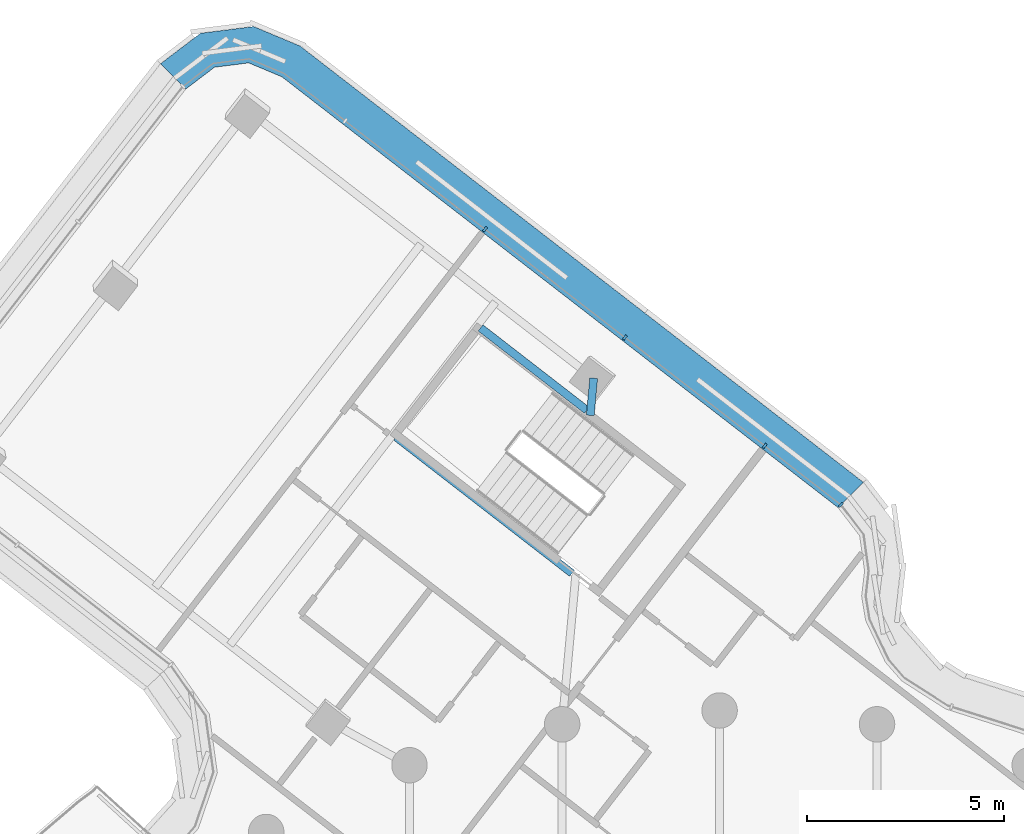
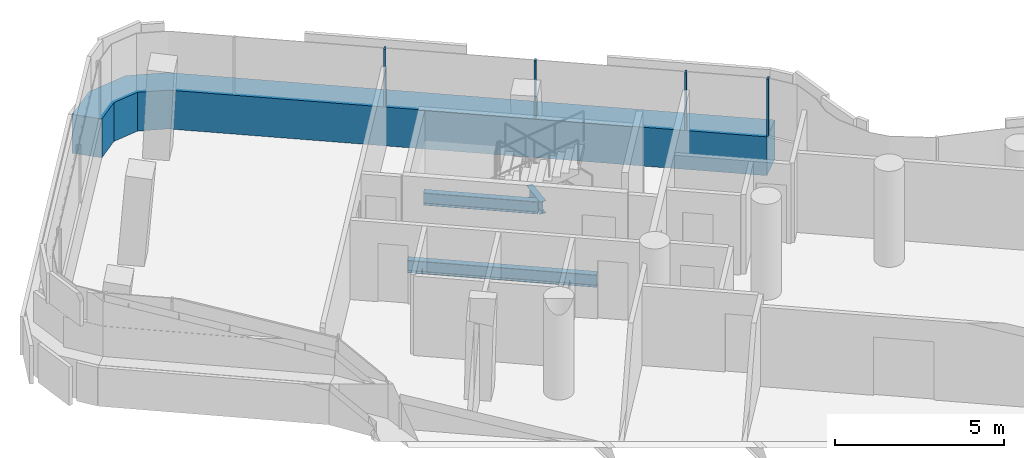
# One storey, part 14 of 26: 5 members, 3 beams, 1 element without a shape of its own.
"""IFC4 building model written with IfcOpenShell, lengths in metres."""

import ifcopenshell
import ifcopenshell.guid

model = None  # the IFC model being written
_history = None  # IfcOwnerHistory: only IFC2X3 demands one
_inside = {}  # id of a spatial element -> (the spatial element, [elements in it])
_under = {}  # id of a project, library or spatial element -> (it, [spatial elements below it])
_declared = {}  # id of a project -> (the project, [libraries it declares])
_typed = {}  # id of a type object -> (the type object, [elements of that type])
_made_of = {}  # id of a material, layer set ... -> (it, [elements and type objects made of it])


def new_model(schema):
    """Start an empty IFC model of exactly this schema.

    Asked for "IFC4X3", IfcOpenShell would pick the latest addendum, in which some entities
    have other attributes; the version numbers below select the first issue.
    IFC2X3 requires an IfcOwnerHistory on every rooted entity: one is made here for all.
    """
    global model, _history
    if schema == "IFC4X3":
        model = ifcopenshell.file(schema_version=(4, 3, 0, 0))
    else:
        model = ifcopenshell.file(schema=schema)
    _inside.clear()
    _under.clear()
    _declared.clear()
    _typed.clear()
    _made_of.clear()
    _history = None
    if model.schema == "IFC2X3":
        org = make("IfcOrganization", Name="unknown")
        user = make(
            "IfcPersonAndOrganization",
            ThePerson=make("IfcPerson", FamilyName="unknown"),
            TheOrganization=org,
        )
        app = make(
            "IfcApplication",
            ApplicationDeveloper=org,
            Version="unknown",
            ApplicationFullName="unknown",
            ApplicationIdentifier="unknown",
        )
        _history = make(
            "IfcOwnerHistory",
            OwningUser=user,
            OwningApplication=app,
            ChangeAction="ADDED",
            CreationDate=0,
        )
    return model


def make(cls, **values):
    """One entity of the class cls with the attributes given. An attribute that is None is left unset."""
    return model.create_entity(
        cls, **{name: value for name, value in values.items() if value is not None}
    )


def rooted(cls, **values):
    """An entity with a GlobalId (a new one), such as an element, a storey or a relation."""
    return make(cls, GlobalId=ifcopenshell.guid.new(), OwnerHistory=_history, **values)


def si_unit(unit_type, name, prefix=None):
    """IfcSIUnit, for example si_unit("LENGTHUNIT", "METRE", prefix="MILLI")."""
    return make("IfcSIUnit", UnitType=unit_type, Prefix=prefix, Name=name)


def assignment(units):
    """IfcUnitAssignment: the units of a project."""
    return None if units is None else make("IfcUnitAssignment", Units=units)


def point(xyz):
    """IfcCartesianPoint."""
    return None if xyz is None else make("IfcCartesianPoint", Coordinates=xyz)


def direction(xyz):
    """IfcDirection."""
    return None if xyz is None else make("IfcDirection", DirectionRatios=xyz)


def frame(location, z_axis=None, x_axis=None):
    """IfcAxis2Placement3D, a coordinate frame: its origin and axes. An axis left out is left unset."""
    return make(
        "IfcAxis2Placement3D",
        Location=point(location),
        Axis=direction(z_axis),
        RefDirection=direction(x_axis),
    )


def frame_2d(location, x_axis=None):
    """IfcAxis2Placement2D, a coordinate frame in the plane: its origin and x axis."""
    return make(
        "IfcAxis2Placement2D", Location=point(location), RefDirection=direction(x_axis)
    )


def origin():
    """The frame at (0, 0, 0) with its axes left unset."""
    return frame((0.0, 0.0, 0.0))


def origin_2d():
    """The frame at (0, 0) in the plane with its x axis left unset."""
    return frame_2d((0.0, 0.0))


def place(relative_to, where):
    """IfcLocalPlacement: puts the frame where relative to a parent placement (None: the world)."""
    return make(
        "IfcLocalPlacement", PlacementRelTo=relative_to, RelativePlacement=where
    )


def context(
    kind, dimensions, precision=None, world=None, true_north=None, identifier=None
):
    """IfcGeometricRepresentationContext, for example the 3D "Model" context."""
    return make(
        "IfcGeometricRepresentationContext",
        ContextIdentifier=identifier,
        ContextType=kind,
        CoordinateSpaceDimension=dimensions,
        Precision=precision,
        WorldCoordinateSystem=world,
        TrueNorth=true_north,
    )


def subcontext(parent, identifier, kind, view, scale=None):
    """IfcGeometricRepresentationSubContext, for example "Body" below "Model"."""
    return make(
        "IfcGeometricRepresentationSubContext",
        ContextIdentifier=identifier,
        ContextType=kind,
        ParentContext=parent,
        TargetScale=scale,
        TargetView=view,
    )


def project(units=None, contexts=None):
    """IfcProject with its units and contexts."""
    return rooted(
        "IfcProject",
        Name="project",
        RepresentationContexts=contexts,
        UnitsInContext=assignment(units),
    )


def spatial(cls, under=None, at=None, **own):
    """A site, building, storey or space (cls), placed at a placement, below another one or the project."""
    s = rooted(cls, ObjectPlacement=at, **own)
    if under is not None:
        _under.setdefault(under.id(), (under, []))[1].append(s)
    return s


def polyline(points):
    """IfcPolyline through the points."""
    return make("IfcPolyline", Points=[point(p) for p in points])


def profile(cls, at=None, kind="AREA", **sizes):
    """A parametric profile (cls). Its sizes go by their IFC names, for example OverallWidth=200.0."""
    return make(cls, ProfileType=kind, Position=at, **sizes)


def rectangle(**sizes):
    """IfcRectangleProfileDef."""
    return profile("IfcRectangleProfileDef", **sizes)


def i_section(**sizes):
    """IfcIShapeProfileDef."""
    return profile("IfcIShapeProfileDef", **sizes)


def outline(outer, holes=None, kind="AREA"):
    """IfcArbitraryClosedProfileDef: a profile drawn as a closed curve; with holes, ...WithVoids."""
    if holes is None:
        return make("IfcArbitraryClosedProfileDef", ProfileType=kind, OuterCurve=outer)
    return make(
        "IfcArbitraryProfileDefWithVoids",
        ProfileType=kind,
        OuterCurve=outer,
        InnerCurves=holes,
    )


def extrude(swept, where, along, depth):
    """IfcExtrudedAreaSolid: the profile swept, set in the frame where, extruded along a direction by depth."""
    return make(
        "IfcExtrudedAreaSolid",
        SweptArea=swept,
        Position=where,
        ExtrudedDirection=direction(along),
        Depth=depth,
    )


def shape(context_of_items, identifier, shape_type, items):
    """IfcShapeRepresentation: the items that make up one representation, for example the "Body"."""
    return make(
        "IfcShapeRepresentation",
        ContextOfItems=context_of_items,
        RepresentationIdentifier=identifier,
        RepresentationType=shape_type,
        Items=items,
    )


def material(Name=None, Category=None):
    """IfcMaterial."""
    return make("IfcMaterial", Name=Name, Category=Category)


def layer(
    of_material, thickness, ventilated=None, Name=None, Category=None, Priority=None
):
    """IfcMaterialLayer: one layer of a wall or slab, of a material (None: an air gap)."""
    return make(
        "IfcMaterialLayer",
        Material=of_material,
        LayerThickness=thickness,
        IsVentilated=ventilated,
        Name=Name,
        Category=Category,
        Priority=Priority,
    )


def layer_set(layers, Name=None):
    """IfcMaterialLayerSet."""
    return make("IfcMaterialLayerSet", MaterialLayers=layers, LayerSetName=Name)


def material_profile(
    of_material, cross_section, Name=None, Category=None, Priority=None
):
    """IfcMaterialProfile: a cross section and its material."""
    return make(
        "IfcMaterialProfile",
        Name=Name,
        Material=of_material,
        Profile=cross_section,
        Priority=Priority,
        Category=Category,
    )


def profile_set(profiles, Name=None, composite=None):
    """IfcMaterialProfileSet."""
    return make(
        "IfcMaterialProfileSet",
        Name=Name,
        MaterialProfiles=profiles,
        CompositeProfile=composite,
    )


def made_of(thing, what):
    """Note that an element or type object is made of a material, layer set ...; save() writes the relation."""
    if what is not None:
        _made_of.setdefault(what.id(), (what, []))[1].append(thing)
    return thing


def type_object(cls, material=None, **own):
    """A type object (cls), such as IfcWallType, which elements share."""
    return made_of(rooted(cls, **own), material)


def element(
    cls,
    number,
    at=None,
    inside=None,
    cuts=None,
    type_object=None,
    material=None,
    context=None,
    identifier="Body",
    shape_type=None,
    held_by="IfcProductDefinitionShape",
    body=None,
    shapes=None,
    **own,
):
    """One element of the class cls, such as IfcWall. Its Tag is "e" and its number.

    at: its placement. inside: the storey or other place that contains it. cuts: it is an
    opening in that element (IfcRelVoidsElement). A single representation is given by context,
    identifier, shape_type and body (its items); several are given by shapes. held_by: the class
    of the entity that holds the representations. save() writes the other relations.
    """
    e = rooted(cls, Tag="e%d" % number, ObjectPlacement=at, **own)
    if body is not None:
        shapes = [shape(context, identifier, shape_type, body)]
    if shapes is not None:
        e.Representation = make(held_by, Representations=shapes)
    if inside is not None:
        _inside.setdefault(inside.id(), (inside, []))[1].append(e)
    if cuts is not None:
        rooted(
            "IfcRelVoidsElement", RelatingBuildingElement=cuts, RelatedOpeningElement=e
        )
    if type_object is not None:
        _typed.setdefault(type_object.id(), (type_object, []))[1].append(e)
    return made_of(e, material)


def aggregate(whole, parts):
    """IfcRelAggregates: a whole, such as a stair, and the parts it consists of."""
    return rooted("IfcRelAggregates", RelatingObject=whole, RelatedObjects=parts)


def save(model, path):
    """Write the relations noted so far, then the file.

    IfcRelAggregates (storeys below a building ...), IfcRelContainedInSpatialStructure (elements
    in a storey), IfcRelDefinesByType, IfcRelAssociatesMaterial and IfcRelDeclares: one each for
    every whole, place, type object, material and project.
    """
    for whole, parts in _under.values():
        aggregate(whole, parts)
    for where, things in _inside.values():
        rooted(
            "IfcRelContainedInSpatialStructure",
            RelatedElements=things,
            RelatingStructure=where,
        )
    for kind, things in _typed.values():
        rooted("IfcRelDefinesByType", RelatedObjects=things, RelatingType=kind)
    for what, things in _made_of.values():
        rooted("IfcRelAssociatesMaterial", RelatedObjects=things, RelatingMaterial=what)
    for by, libraries in _declared.values():
        rooted("IfcRelDeclares", RelatingContext=by, RelatedDefinitions=libraries)
    model.write(path)


model = new_model("IFC4")

# Units and contexts
model_context = context("Model", 3, precision=1e-05, world=origin(), true_north=direction((0.0, 1.0)))
body_context = subcontext(model_context, "Body", "Model", "MODEL_VIEW")
ifc_project = project(units=[si_unit("LENGTHUNIT", "METRE"), si_unit("AREAUNIT", "SQUARE_METRE"), si_unit("VOLUMEUNIT", "CUBIC_METRE"), si_unit("PLANEANGLEUNIT", "RADIAN"), si_unit("MASSUNIT", "GRAM", prefix="KILO")], contexts=[model_context])

# Site, building, storey
site_placement = place(None, origin())
site = spatial("IfcSite", under=ifc_project, at=site_placement, CompositionType="ELEMENT")
building_placement = place(site_placement, origin())
building = spatial("IfcBuilding", under=site, at=building_placement, Name="Tamarind Cross Interchange Tower", CompositionType="ELEMENT")
storey_placement = place(building_placement, frame((0.0, 0.0, 223.5)))
storey = spatial("IfcBuildingStorey", under=building, at=storey_placement, Name="L56", CompositionType="ELEMENT", Elevation=223.5)

# Beams
ifc_material_1 = material(Name="Steel Q355B", Category="steel")
ifc_material_profile_1 = material_profile(ifc_material_1, i_section(OverallWidth=0.198974609375, OverallDepth=0.446044921875, WebThickness=0.008056640625, FlangeThickness=0.011962890625, FilletRadius=0.012939453125, at=origin_2d()), Name="HN 446x199x8x12")
ifc_profile_set_1 = profile_set([ifc_material_profile_1], Name="Steel Q355B")
beam_type = type_object("IfcBeamType", Name="Composite beam HN 446x199x8x12 Q355B", PredefinedType="BEAM", material=ifc_profile_set_1)
beam_1_placement = place(storey_placement, frame((-3.19384765625, 31.4306640625, -0.363037109375), z_axis=(-0.090814093417, -0.99586786294, 0.0), x_axis=(0.99586786294, -0.090814093417, 0.0)))
element("IfcBeam", 1, at=beam_1_placement, inside=storey, type_object=beam_type, Name="Beam N-linkemt0", PredefinedType="BEAM", context=body_context, shape_type="SweptSolid", body=[
    extrude(i_section(OverallWidth=0.198974609375, OverallDepth=0.446044921875, WebThickness=0.008056640625, FlangeThickness=0.011962890625, FilletRadius=0.012939453125, at=origin_2d()), origin(), (0.0, 0.0, 1.0), 0.948974609375),
])
beam_2_placement = place(storey_placement, frame((-3.367919921875, 30.616943359375, -0.363037109375), z_axis=(-0.79060300115, 0.612329073761, 0.0), x_axis=(-0.612329073761, -0.79060300115, 0.0)))
element("IfcBeam", 2, at=beam_2_placement, inside=storey, type_object=beam_type, Name="Beam N-tr0s1", PredefinedType="BEAM", context=body_context, shape_type="SweptSolid", body=[
    extrude(i_section(OverallWidth=0.198974609375, OverallDepth=0.446044921875, WebThickness=0.008056640625, FlangeThickness=0.011962890625, FilletRadius=0.012939453125, at=origin_2d()), origin(), (0.0, 0.0, 1.0), 3.411376953125),
])
beam_3_placement = place(storey_placement, frame((-3.74462890625, 26.481689453125, -0.363037109375), z_axis=(-0.790594041101, 0.61234064227, 0.0), x_axis=(-0.61234064227, -0.790594041101, 0.0)))
element("IfcBeam", 3, at=beam_3_placement, inside=storey, type_object=beam_type, Name="Beam N-tr1s1", PredefinedType="BEAM", context=body_context, shape_type="SweptSolid", body=[
    extrude(i_section(OverallWidth=0.198974609375, OverallDepth=0.446044921875, WebThickness=0.008056640625, FlangeThickness=0.011962890625, FilletRadius=0.012939453125, at=origin_2d()), origin(), (0.0, 0.0, 1.0), 5.6455078125),
])

# Curtain wall, members
ifc_material_2 = material(Name="Aluminium 6063-T6", Category="aluminium")
ifc_layer = layer(ifc_material_2, 0.139892578125)
ifc_layer_set = layer_set([ifc_layer], Name="Aluminium 6063-T6")
curtain_wall_type = type_object("IfcCurtainWallType", Name="Hotel curtain wall, 4.5 m bays", PredefinedType="NOTDEFINED", material=ifc_layer_set)
curtain_wall_placement = place(storey_placement, origin())
curtain_wall = element("IfcCurtainWall", 4, at=curtain_wall_placement, inside=storey, type_object=curtain_wall_type, Name="CWS-L56-03", PredefinedType="NOTDEFINED")
ifc_material_3 = material(Name="Aluminium and insulated spandrel panel", Category="aluminium")
member_type_1 = type_object("IfcMemberType", Name="Floor-edge blade transom", PredefinedType="USERDEFINED", material=ifc_material_3)
member_1_placement = place(storey_placement, origin())
member_1 = element("IfcMember", 5, at=member_1_placement, type_object=member_type_1, Name="CWT-L56-03", ObjectType="TRANSOM", PredefinedType="USERDEFINED", context=body_context, shape_type="SweptSolid", body=[
    extrude(outline(polyline([(3.005126953125, 28.14697265625), (-11.100830078125, 39.072998046875), (-11.94482421875, 39.427001953125), (-12.8125, 39.31689453125), (-13.541259765625, 38.762939453125), (-14.18017578125, 39.40771484375), (-13.1650390625, 40.179443359375), (-11.819091796875, 40.350341796875), (-10.643310546875, 39.85693359375), (3.6484375, 28.787353515625), (3.005126953125, 28.14697265625)])), origin(), (0.0, 0.0, 1.0), 1.39990234375),
])
ifc_material_profile_2 = material_profile(ifc_material_2, rectangle(XDim=0.06005859375, YDim=0.139892578125, at=origin_2d()), Name="Mullion CW2")
ifc_profile_set_2 = profile_set([ifc_material_profile_2], Name="Aluminium 6063-T6")
member_type_2 = type_object("IfcMemberType", Name="Mullion CW2", PredefinedType="MULLION", material=ifc_profile_set_2)
member_2_placement = place(storey_placement, frame((3.07666015625, 28.21826171875, 1.39990234375), z_axis=(0.0, 0.0, 1.0), x_axis=(-0.705485397522, 0.708724455542, 0.0)))
member_2 = element("IfcMember", 6, at=member_2_placement, type_object=member_type_2, Name="CWM-L56-03-00", PredefinedType="MULLION", context=body_context, shape_type="SweptSolid", body=[
    extrude(rectangle(XDim=0.06005859375, YDim=0.139892578125, at=origin_2d()), origin(), (0.0, 0.0, 1.0), 2.06005859375),
])
member_3_placement = place(storey_placement, frame((1.14501953125, 29.71435546875, 1.39990234375), z_axis=(0.0, 0.0, 1.0), x_axis=(-0.790582709629, 0.612355272073, 0.0)))
member_3 = element("IfcMember", 7, at=member_3_placement, type_object=member_type_2, Name="CWM-L56-03-01", PredefinedType="MULLION", context=body_context, shape_type="SweptSolid", body=[
    extrude(rectangle(XDim=0.06005859375, YDim=0.139892578125, at=origin_2d()), origin(), (0.0, 0.0, 1.0), 2.06005859375),
])
member_4_placement = place(storey_placement, frame((-2.40234375, 32.4619140625, 1.39990234375), z_axis=(0.0, 0.0, 1.0), x_axis=(-0.790582709629, 0.612355272073, 0.0)))
member_4 = element("IfcMember", 8, at=member_4_placement, type_object=member_type_2, Name="CWM-L56-03-02", PredefinedType="MULLION", context=body_context, shape_type="SweptSolid", body=[
    extrude(rectangle(XDim=0.06005859375, YDim=0.139892578125, at=origin_2d()), origin(), (0.0, 0.0, 1.0), 2.06005859375),
])
member_5_placement = place(storey_placement, frame((-5.949462890625, 35.20947265625, 1.39990234375), z_axis=(0.0, 0.0, 1.0), x_axis=(-0.790582709629, 0.612355272073, 0.0)))
member_5 = element("IfcMember", 9, at=member_5_placement, type_object=member_type_2, Name="CWM-L56-03-03", PredefinedType="MULLION", context=body_context, shape_type="SweptSolid", body=[
    extrude(rectangle(XDim=0.06005859375, YDim=0.139892578125, at=origin_2d()), origin(), (0.0, 0.0, 1.0), 2.06005859375),
])
aggregate(curtain_wall, [member_2, member_3, member_4, member_5, member_1])

save(model, "model.ifc")
